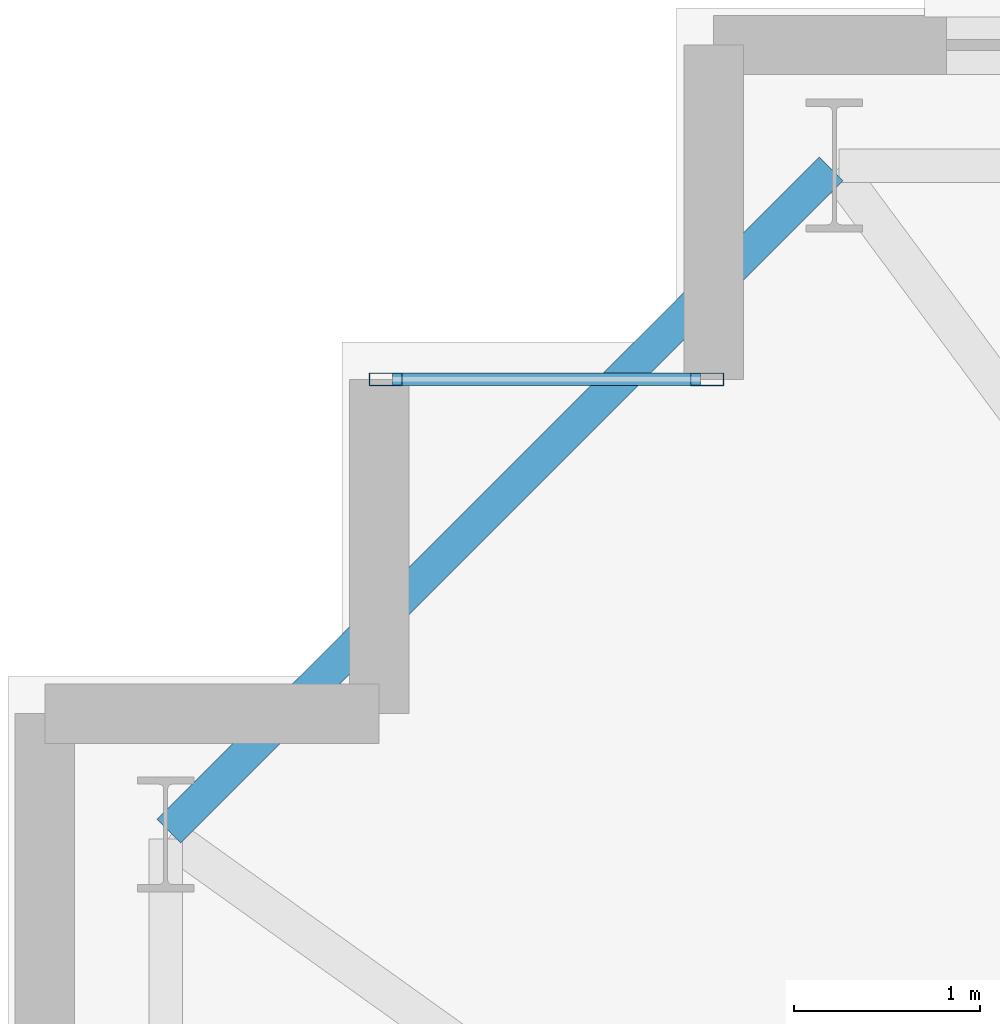
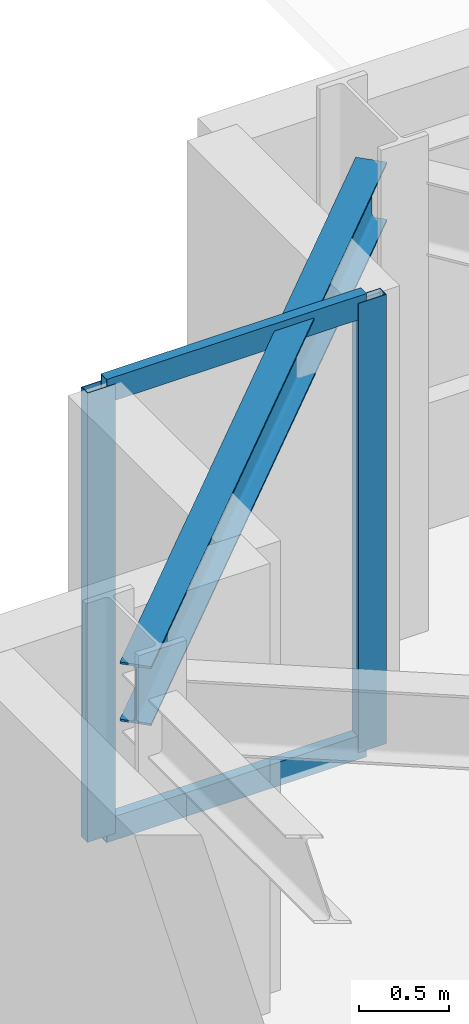
# One storey, part 8 of 20: 4 members, 1 beam, 1 element without a shape of its own.
"""IFC4 building model written with IfcOpenShell, lengths in metres."""

from ifc_helpers import new_model, si_unit, direction, frame, origin, origin_2d, place, context, subcontext, project, spatial, hollow_rectangle, i_section, extrude, material, layer, layer_set, material_profile, profile_set, type_object, element, aggregate, save


model = new_model("IFC4")

# Units and contexts
model_context = context("Model", 3, precision=1e-05, world=origin(), true_north=direction((0.0, 1.0)))
body_context = subcontext(model_context, "Body", "Model", "MODEL_VIEW")
ifc_project = project(units=[si_unit("LENGTHUNIT", "METRE"), si_unit("AREAUNIT", "SQUARE_METRE"), si_unit("VOLUMEUNIT", "CUBIC_METRE"), si_unit("PLANEANGLEUNIT", "RADIAN"), si_unit("MASSUNIT", "GRAM", prefix="KILO")], contexts=[model_context])

# Site, building, storey
site_placement = place(None, origin())
site = spatial("IfcSite", under=ifc_project, at=site_placement, CompositionType="ELEMENT")
building_placement = place(site_placement, origin())
building = spatial("IfcBuilding", under=site, at=building_placement, Name="Qobustan Lattice House", CompositionType="ELEMENT")
storey_placement = place(building_placement, frame((0.0, 0.0, 63.85009765625)))
storey = spatial("IfcBuildingStorey", under=building, at=storey_placement, Name="L17", CompositionType="ELEMENT", Elevation=63.85009765625)

# Beam
ifc_material_1 = material(Name="Steel S355", Category="steel")
ifc_material_profile_1 = material_profile(ifc_material_1, i_section(OverallWidth=0.179931640625, OverallDepth=0.39990234375, WebThickness=0.008544921875, FlangeThickness=0.013427734375, FilletRadius=0.02099609375, at=origin_2d()), Name="IPE400")
ifc_profile_set_1 = profile_set([ifc_material_profile_1], Name="Steel S355")
beam_type = type_object("IfcBeamType", Name="BM-SPD-IPE400", PredefinedType="SPANDREL", material=ifc_profile_set_1)
beam_placement = place(storey_placement, frame((-28.567626953125, 18.732421875, 2.8349609375), z_axis=(-0.707106781187, -0.707106781187, 0.0), x_axis=(0.707106781187, -0.707106781187, 0.0)))
element("IfcBeam", 1, at=beam_placement, inside=storey, type_object=beam_type, Name="L17 perimeter spandrel N7-W1", PredefinedType="SPANDREL", context=body_context, shape_type="SweptSolid", body=[
    extrude(i_section(OverallWidth=0.179931640625, OverallDepth=0.39990234375, WebThickness=0.008544921875, FlangeThickness=0.013427734375, FilletRadius=0.02099609375, at=origin_2d()), origin(), (0.0, 0.0, 1.0), 5.041259765625),
])

# Curtain wall, members
ifc_material_2 = material(Name="Anodised aluminium and low-E glazing", Category="aluminium")
ifc_layer = layer(ifc_material_2, 0.219970703125)
ifc_layer_set = layer_set([ifc_layer], Name="Anodised aluminium and low-E glazing")
curtain_wall_type = type_object("IfcCurtainWallType", Name="CW-FAC-01", PredefinedType="USERDEFINED", material=ifc_layer_set)
curtain_wall_placement = place(storey_placement, origin())
curtain_wall = element("IfcCurtainWall", 2, at=curtain_wall_placement, inside=storey, type_object=curtain_wall_type, Name="L17 serrated corner faceted glazing 8", ObjectType="CURTAIN WALL", PredefinedType="USERDEFINED")
ifc_material_3 = material(Name="Anodised aluminium EN AW-6063 T6", Category="aluminium")
ifc_material_profile_2 = material_profile(ifc_material_3, hollow_rectangle(XDim=0.070068359375, YDim=0.179931640625, WallThickness=0.00439453125, at=origin_2d()), Name="CWM-180x70")
ifc_profile_set_2 = profile_set([ifc_material_profile_2], Name="Anodised aluminium EN AW-6063 T6")
member_type_1 = type_object("IfcMemberType", Name="CWM-STD-180", PredefinedType="MULLION", material=ifc_profile_set_2)
member_1_placement = place(storey_placement, frame((-30.965087890625, 17.60009765625, 0.0), z_axis=(0.0, 0.0, 1.0), x_axis=(0.0, 1.0, 0.0)))
member_1 = element("IfcMember", 3, at=member_1_placement, type_object=member_type_1, Name="CW-F1 mullion 1", PredefinedType="MULLION", context=body_context, shape_type="SweptSolid", body=[
    extrude(hollow_rectangle(XDim=0.070068359375, YDim=0.179931640625, WallThickness=0.00439453125, at=origin_2d()), origin(), (0.0, 0.0, 1.0), 3.034912109375),
])
member_2_placement = place(storey_placement, frame((-29.235107421875, 17.60009765625, 0.0), z_axis=(0.0, 0.0, 1.0), x_axis=(0.0, 1.0, 0.0)))
member_2 = element("IfcMember", 4, at=member_2_placement, type_object=member_type_1, Name="CW-F1 mullion 2", PredefinedType="MULLION", context=body_context, shape_type="SweptSolid", body=[
    extrude(hollow_rectangle(XDim=0.070068359375, YDim=0.179931640625, WallThickness=0.00439453125, at=origin_2d()), origin(), (0.0, 0.0, 1.0), 3.034912109375),
])
ifc_material_4 = material(Name="Anodised aluminium EN AW-6063 T6", Category="aluminium")
ifc_material_profile_3 = material_profile(ifc_material_4, hollow_rectangle(XDim=0.06494140625, YDim=0.159912109375, WallThickness=0.00390625, at=origin_2d()), Name="CWT-160x65")
ifc_profile_set_3 = profile_set([ifc_material_profile_3], Name="Anodised aluminium EN AW-6063 T6")
member_type_2 = type_object("IfcMemberType", Name="CWT-HOR-160", PredefinedType="USERDEFINED", material=ifc_profile_set_3)
member_3_placement = place(storey_placement, frame((-30.929931640625, 17.60009765625, 0.032470703125), z_axis=(1.0, 0.0, 0.0), x_axis=(0.0, 1.0, 0.0)))
member_3 = element("IfcMember", 5, at=member_3_placement, type_object=member_type_2, Name="CW-F1 transom 1.1", ObjectType="TRANSOM", PredefinedType="USERDEFINED", context=body_context, shape_type="SweptSolid", body=[
    extrude(hollow_rectangle(XDim=0.06494140625, YDim=0.159912109375, WallThickness=0.00390625, at=origin_2d()), origin(), (0.0, 0.0, 1.0), 1.659912109375),
])
member_4_placement = place(storey_placement, frame((-30.929931640625, 17.60009765625, 3.00244140625), z_axis=(1.0, 0.0, 0.0), x_axis=(0.0, 1.0, 0.0)))
member_4 = element("IfcMember", 6, at=member_4_placement, type_object=member_type_2, Name="CW-F1 transom 1.2", ObjectType="TRANSOM", PredefinedType="USERDEFINED", context=body_context, shape_type="SweptSolid", body=[
    extrude(hollow_rectangle(XDim=0.06494140625, YDim=0.159912109375, WallThickness=0.00390625, at=origin_2d()), origin(), (0.0, 0.0, 1.0), 1.659912109375),
])
aggregate(curtain_wall, [member_1, member_2, member_3, member_4])

save(model, "model.ifc")
